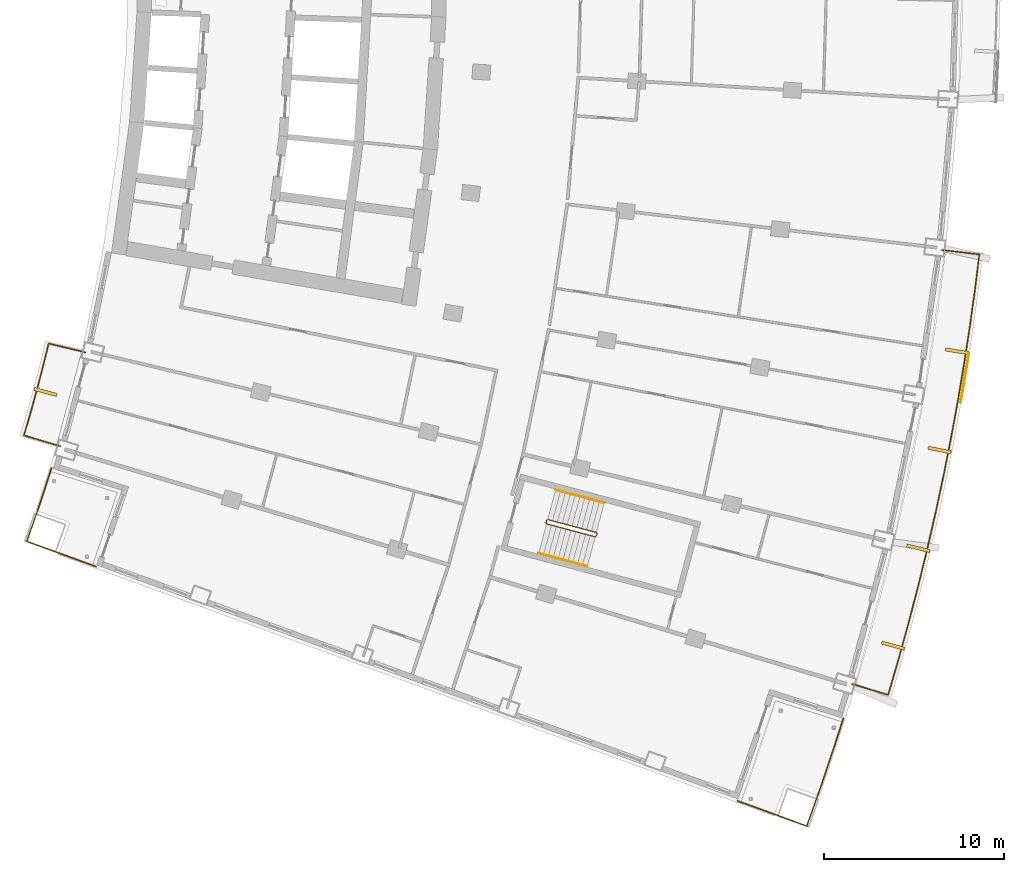
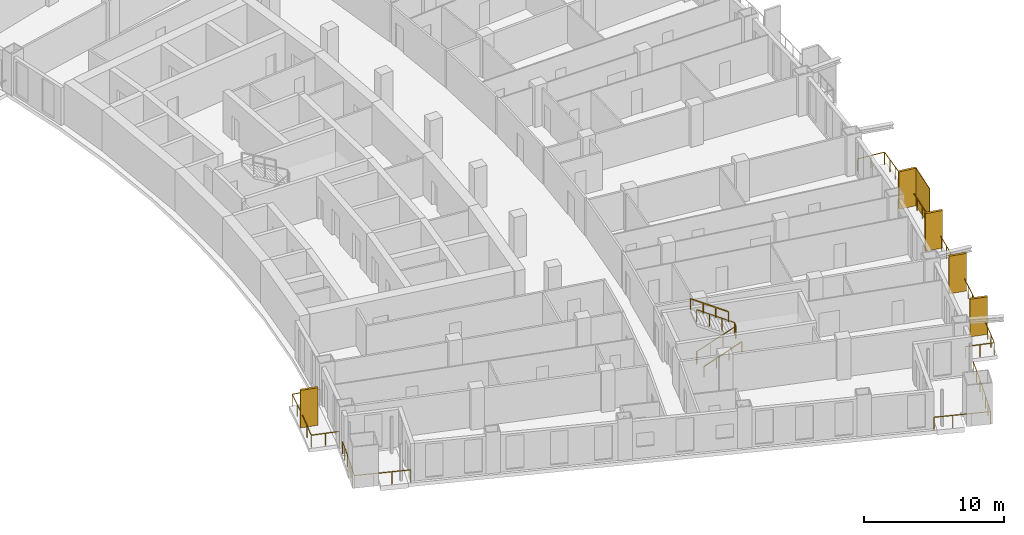
# One storey, part 23 of 25: 7 railings, 6 shading devices.
"""IFC4 building model written with IfcOpenShell, lengths in metres."""

from ifc_helpers import new_model, si_unit, direction, frame, origin, origin_2d, place, context, subcontext, project, spatial, rectangle, extrude, material, layer, layer_set, type_object, element, save


model = new_model("IFC4")

# Units and contexts
model_context = context("Model", 3, precision=1e-05, world=origin(), true_north=direction((0.0, 1.0)))
body_context = subcontext(model_context, "Body", "Model", "MODEL_VIEW")
ifc_project = project(units=[si_unit("LENGTHUNIT", "METRE"), si_unit("AREAUNIT", "SQUARE_METRE"), si_unit("VOLUMEUNIT", "CUBIC_METRE"), si_unit("PLANEANGLEUNIT", "RADIAN"), si_unit("MASSUNIT", "GRAM", prefix="KILO")], contexts=[model_context])

# Site, building, storey
site_placement = place(None, origin())
site = spatial("IfcSite", under=ifc_project, at=site_placement, CompositionType="ELEMENT")
building_placement = place(site_placement, origin())
building = spatial("IfcBuilding", under=site, at=building_placement, Name="Alderwake Tower", CompositionType="ELEMENT")
storey_placement = place(building_placement, frame((0.0, 0.0, 86.0)))
storey = spatial("IfcBuildingStorey", under=building, at=storey_placement, Name="L20", CompositionType="ELEMENT", Elevation=86.0)

# Railings
ifc_material_1 = material(Name="Stainless steel 316 rail and posts", Category="steel")
railing_type_1 = type_object("IfcRailingType", Name="Balcony guard 1100", PredefinedType="GUARDRAIL", material=ifc_material_1)
railing_1_placement = place(storey_placement, frame((56.22265625, 20.204833984375, 0.0)))
element("IfcRailing", 1, at=railing_1_placement, inside=storey, type_object=railing_type_1, Name="Guard BF02", PredefinedType="GUARDRAIL", context=body_context, shape_type="SweptSolid", body=[
    extrude(rectangle(XDim=0.048095703125, YDim=0.048095703125, at=origin_2d()), frame((0.0, 0.0, 1.076171875), z_axis=(0.957986128201, -0.286814536198, 0.0), x_axis=(0.286814536198, 0.957986128201, 0.0)), (0.0, 0.0, 1.0), 2.099853515625),
    extrude(rectangle(XDim=0.048095703125, YDim=0.048095703125, at=origin_2d()), frame((2.01171875, -0.602294921875, 1.076171875), z_axis=(0.280154349247, 0.959954968005, 0.0), x_axis=(-0.959954968005, 0.280154349247, 0.0)), (0.0, 0.0, 1.0), 2.00439453125),
    extrude(rectangle(XDim=0.048095703125, YDim=0.048095703125, at=origin_2d()), frame((2.5732421875, 1.32177734375, 1.076171875), z_axis=(0.266620451379, 0.963801605574, 0.0), x_axis=(-0.963801605574, 0.266620451379, 0.0)), (0.0, 0.0, 1.0), 2.104248046875),
    extrude(rectangle(XDim=0.048095703125, YDim=0.048095703125, at=origin_2d()), frame((3.13427734375, 3.349853515625, 1.076171875), z_axis=(0.252431341957, 0.967614808484, 0.0), x_axis=(-0.967614808484, 0.252431341957, 0.0)), (0.0, 0.0, 1.0), 2.1044921875),
    extrude(rectangle(XDim=0.048095703125, YDim=0.048095703125, at=origin_2d()), frame((3.66552734375, 5.38623046875, 1.076171875), z_axis=(0.238302054277, 0.971191088781, 0.0), x_axis=(-0.971191088781, 0.238302054277, 0.0)), (0.0, 0.0, 1.0), 2.104248046875),
    extrude(rectangle(XDim=0.048095703125, YDim=0.048095703125, at=origin_2d()), frame((4.1669921875, 7.429931640625, 1.076171875), z_axis=(0.224147692921, 0.974555186615, 0.0), x_axis=(-0.974555186615, 0.224147692921, 0.0)), (0.0, 0.0, 1.0), 2.104248046875),
    extrude(rectangle(XDim=0.048095703125, YDim=0.048095703125, at=origin_2d()), frame((4.638671875, 9.480712890625, 1.076171875), z_axis=(0.209885633333, 0.977725943668, 0.0), x_axis=(-0.977725943668, 0.209885633333, 0.0)), (0.0, 0.0, 1.0), 2.104248046875),
    extrude(rectangle(XDim=0.048095703125, YDim=0.048095703125, at=origin_2d()), frame((5.080322265625, 11.5380859375, 1.076171875), z_axis=(0.195602960633, 0.980683170954, 0.0), x_axis=(-0.980683170954, 0.195602960633, 0.0)), (0.0, 0.0, 1.0), 2.1044921875),
    extrude(rectangle(XDim=0.048095703125, YDim=0.048095703125, at=origin_2d()), frame((5.491943359375, 13.601806640625, 1.076171875), z_axis=(0.181212626515, 0.983443940442, 0.0), x_axis=(-0.983443940442, 0.181212626515, 0.0)), (0.0, 0.0, 1.0), 2.1044921875),
    extrude(rectangle(XDim=0.048095703125, YDim=0.048095703125, at=origin_2d()), frame((5.873291015625, 15.67138671875, 1.076171875), z_axis=(0.166957213464, 0.985964141778, 0.0), x_axis=(-0.985964141778, 0.166957213464, 0.0)), (0.0, 0.0, 1.0), 2.104248046875),
    extrude(rectangle(XDim=0.048095703125, YDim=0.048095703125, at=origin_2d()), frame((6.224609375, 17.74609375, 1.076171875), z_axis=(0.152554066346, 0.988295126388, 0.0), x_axis=(-0.988295126388, 0.152554066346, 0.0)), (0.0, 0.0, 1.0), 2.1044921875),
    extrude(rectangle(XDim=0.048095703125, YDim=0.048095703125, at=origin_2d()), frame((6.545654296875, 19.825927734375, 1.076171875), z_axis=(0.138058412224, 0.990424088365, 0.0), x_axis=(-0.990424088365, 0.138058412224, 0.0)), (0.0, 0.0, 1.0), 2.1044921875),
    extrude(rectangle(XDim=0.048095703125, YDim=0.048095703125, at=origin_2d()), frame((6.836181640625, 21.91015625, 1.076171875), z_axis=(0.124004750008, 0.992281624326, 0.0), x_axis=(-0.992281624326, 0.124004750008, 0.0)), (0.0, 0.0, 1.0), 2.004150390625),
    extrude(rectangle(XDim=0.048095703125, YDim=0.048095703125, at=origin_2d()), frame((7.084716796875, 23.89892578125, 1.076171875), z_axis=(-0.993124393357, 0.117063825835, 0.0), x_axis=(-0.117063825835, -0.993124393357, 0.0)), (0.0, 0.0, 1.0), 2.10009765625),
    extrude(rectangle(XDim=0.0419921875, YDim=0.0419921875, at=origin_2d()), frame((0.0, 0.0, 0.0), z_axis=(0.0, 0.0, 1.0), x_axis=(0.957986128201, -0.286814536198, 0.0)), (0.0, 0.0, 1.0), 1.052001953125),
    extrude(rectangle(XDim=0.0419921875, YDim=0.0419921875, at=origin_2d()), frame((1.005859375, -0.30126953125, 0.0), z_axis=(0.0, 0.0, 1.0), x_axis=(0.957986128201, -0.286814536198, 0.0)), (0.0, 0.0, 1.0), 1.052001953125),
    extrude(rectangle(XDim=0.0419921875, YDim=0.0419921875, at=origin_2d()), frame((2.01171875, -0.602294921875, 0.0), z_axis=(0.0, 0.0, 1.0), x_axis=(0.280154349247, 0.959954968005, 0.0)), (0.0, 0.0, 1.0), 1.052001953125),
    extrude(rectangle(XDim=0.0419921875, YDim=0.0419921875, at=origin_2d()), frame((2.29248046875, 0.35986328125, 0.0), z_axis=(0.0, 0.0, 1.0), x_axis=(0.280154349247, 0.959954968005, 0.0)), (0.0, 0.0, 1.0), 1.052001953125),
    extrude(rectangle(XDim=0.0419921875, YDim=0.0419921875, at=origin_2d()), frame((2.5732421875, 1.32177734375, 0.0), z_axis=(0.0, 0.0, 1.0), x_axis=(0.266620451379, 0.963801605574, 0.0)), (0.0, 0.0, 1.0), 1.052001953125),
    extrude(rectangle(XDim=0.0419921875, YDim=0.0419921875, at=origin_2d()), frame((2.853759765625, 2.3359375, 0.0), z_axis=(0.0, 0.0, 1.0), x_axis=(0.266620451379, 0.963801605574, 0.0)), (0.0, 0.0, 1.0), 1.052001953125),
    extrude(rectangle(XDim=0.0419921875, YDim=0.0419921875, at=origin_2d()), frame((3.13427734375, 3.349853515625, 0.0), z_axis=(0.0, 0.0, 1.0), x_axis=(0.252431341957, 0.967614808484, 0.0)), (0.0, 0.0, 1.0), 1.052001953125),
    extrude(rectangle(XDim=0.0419921875, YDim=0.0419921875, at=origin_2d()), frame((3.39990234375, 4.3681640625, 0.0), z_axis=(0.0, 0.0, 1.0), x_axis=(0.252431341957, 0.967614808484, 0.0)), (0.0, 0.0, 1.0), 1.052001953125),
    extrude(rectangle(XDim=0.0419921875, YDim=0.0419921875, at=origin_2d()), frame((3.66552734375, 5.38623046875, 0.0), z_axis=(0.0, 0.0, 1.0), x_axis=(0.238302054277, 0.971191088781, 0.0)), (0.0, 0.0, 1.0), 1.052001953125),
    extrude(rectangle(XDim=0.0419921875, YDim=0.0419921875, at=origin_2d()), frame((3.916259765625, 6.408203125, 0.0), z_axis=(0.0, 0.0, 1.0), x_axis=(0.238302054277, 0.971191088781, 0.0)), (0.0, 0.0, 1.0), 1.052001953125),
    extrude(rectangle(XDim=0.0419921875, YDim=0.0419921875, at=origin_2d()), frame((4.1669921875, 7.429931640625, 0.0), z_axis=(0.0, 0.0, 1.0), x_axis=(0.224147692921, 0.974555186615, 0.0)), (0.0, 0.0, 1.0), 1.052001953125),
    extrude(rectangle(XDim=0.0419921875, YDim=0.0419921875, at=origin_2d()), frame((4.40283203125, 8.455322265625, 0.0), z_axis=(0.0, 0.0, 1.0), x_axis=(0.224147692921, 0.974555186615, 0.0)), (0.0, 0.0, 1.0), 1.052001953125),
    extrude(rectangle(XDim=0.0419921875, YDim=0.0419921875, at=origin_2d()), frame((4.638671875, 9.480712890625, 0.0), z_axis=(0.0, 0.0, 1.0), x_axis=(0.209885633333, 0.977725943668, 0.0)), (0.0, 0.0, 1.0), 1.052001953125),
    extrude(rectangle(XDim=0.0419921875, YDim=0.0419921875, at=origin_2d()), frame((4.859375, 10.50927734375, 0.0), z_axis=(0.0, 0.0, 1.0), x_axis=(0.209885633333, 0.977725943668, 0.0)), (0.0, 0.0, 1.0), 1.052001953125),
    extrude(rectangle(XDim=0.0419921875, YDim=0.0419921875, at=origin_2d()), frame((5.080322265625, 11.5380859375, 0.0), z_axis=(0.0, 0.0, 1.0), x_axis=(0.195602960633, 0.980683170954, 0.0)), (0.0, 0.0, 1.0), 1.052001953125),
    extrude(rectangle(XDim=0.0419921875, YDim=0.0419921875, at=origin_2d()), frame((5.2861328125, 12.56982421875, 0.0), z_axis=(0.0, 0.0, 1.0), x_axis=(0.195602960633, 0.980683170954, 0.0)), (0.0, 0.0, 1.0), 1.052001953125),
    extrude(rectangle(XDim=0.0419921875, YDim=0.0419921875, at=origin_2d()), frame((5.491943359375, 13.601806640625, 0.0), z_axis=(0.0, 0.0, 1.0), x_axis=(0.181212626515, 0.983443940442, 0.0)), (0.0, 0.0, 1.0), 1.052001953125),
    extrude(rectangle(XDim=0.0419921875, YDim=0.0419921875, at=origin_2d()), frame((5.6826171875, 14.63671875, 0.0), z_axis=(0.0, 0.0, 1.0), x_axis=(0.181212626515, 0.983443940442, 0.0)), (0.0, 0.0, 1.0), 1.052001953125),
    extrude(rectangle(XDim=0.0419921875, YDim=0.0419921875, at=origin_2d()), frame((5.873291015625, 15.67138671875, 0.0), z_axis=(0.0, 0.0, 1.0), x_axis=(0.166957213464, 0.985964141778, 0.0)), (0.0, 0.0, 1.0), 1.052001953125),
    extrude(rectangle(XDim=0.0419921875, YDim=0.0419921875, at=origin_2d()), frame((6.048828125, 16.708740234375, 0.0), z_axis=(0.0, 0.0, 1.0), x_axis=(0.166957213464, 0.985964141778, 0.0)), (0.0, 0.0, 1.0), 1.052001953125),
    extrude(rectangle(XDim=0.0419921875, YDim=0.0419921875, at=origin_2d()), frame((6.224609375, 17.74609375, 0.0), z_axis=(0.0, 0.0, 1.0), x_axis=(0.152554066346, 0.988295126388, 0.0)), (0.0, 0.0, 1.0), 1.052001953125),
    extrude(rectangle(XDim=0.0419921875, YDim=0.0419921875, at=origin_2d()), frame((6.38525390625, 18.7861328125, 0.0), z_axis=(0.0, 0.0, 1.0), x_axis=(0.152554066346, 0.988295126388, 0.0)), (0.0, 0.0, 1.0), 1.052001953125),
    extrude(rectangle(XDim=0.0419921875, YDim=0.0419921875, at=origin_2d()), frame((6.545654296875, 19.825927734375, 0.0), z_axis=(0.0, 0.0, 1.0), x_axis=(0.138058412224, 0.990424088365, 0.0)), (0.0, 0.0, 1.0), 1.052001953125),
    extrude(rectangle(XDim=0.0419921875, YDim=0.0419921875, at=origin_2d()), frame((6.69091796875, 20.8681640625, 0.0), z_axis=(0.0, 0.0, 1.0), x_axis=(0.138058412224, 0.990424088365, 0.0)), (0.0, 0.0, 1.0), 1.052001953125),
    extrude(rectangle(XDim=0.0419921875, YDim=0.0419921875, at=origin_2d()), frame((6.836181640625, 21.91015625, 0.0), z_axis=(0.0, 0.0, 1.0), x_axis=(0.124004750008, 0.992281624326, 0.0)), (0.0, 0.0, 1.0), 1.052001953125),
    extrude(rectangle(XDim=0.0419921875, YDim=0.0419921875, at=origin_2d()), frame((6.96044921875, 22.904541015625, 0.0), z_axis=(0.0, 0.0, 1.0), x_axis=(0.124004750008, 0.992281624326, 0.0)), (0.0, 0.0, 1.0), 1.052001953125),
    extrude(rectangle(XDim=0.0419921875, YDim=0.0419921875, at=origin_2d()), frame((7.084716796875, 23.89892578125, 0.0), z_axis=(0.0, 0.0, 1.0), x_axis=(-0.993124393357, 0.117063825835, 0.0)), (0.0, 0.0, 1.0), 1.052001953125),
    extrude(rectangle(XDim=0.0419921875, YDim=0.0419921875, at=origin_2d()), frame((6.0419921875, 24.02197265625, 0.0), z_axis=(0.0, 0.0, 1.0), x_axis=(-0.993124393357, 0.117063825835, 0.0)), (0.0, 0.0, 1.0), 1.052001953125),
    extrude(rectangle(XDim=0.0419921875, YDim=0.0419921875, at=origin_2d()), frame((4.9990234375, 24.144775390625, 0.0), z_axis=(0.0, 0.0, 1.0), x_axis=(-0.993124393357, 0.117063825835, 0.0)), (0.0, 0.0, 1.0), 1.052001953125),
])
railing_2_placement = place(storey_placement, frame((12.16650390625, 33.435791015625, 0.0)))
element("IfcRailing", 2, at=railing_2_placement, inside=storey, type_object=railing_type_1, Name="Guard BR02", PredefinedType="GUARDRAIL", context=body_context, shape_type="SweptSolid", body=[
    extrude(rectangle(XDim=0.048095703125, YDim=0.048095703125, at=origin_2d()), frame((0.0, 0.0, 1.076171875), z_axis=(-0.958091458885, 0.286462486918, 0.0), x_axis=(-0.286462486918, -0.958091458885, 0.0)), (0.0, 0.0, 1.0), 2.099853515625),
    extrude(rectangle(XDim=0.048095703125, YDim=0.048095703125, at=origin_2d()), frame((-2.011962890625, 0.6015625, 1.076171875), z_axis=(0.279963157487, 0.960010744966, 0.0), x_axis=(-0.960010744966, 0.279963157487, 0.0)), (0.0, 0.0, 1.0), 1.272216796875),
    extrude(rectangle(XDim=0.048095703125, YDim=0.048095703125, at=origin_2d()), frame((-1.65576171875, 1.822998046875, 1.076171875), z_axis=(0.266487604617, 0.963838345671, 0.0), x_axis=(-0.963838345671, 0.266487604617, 0.0)), (0.0, 0.0, 1.0), 1.372314453125),
    extrude(rectangle(XDim=0.048095703125, YDim=0.048095703125, at=origin_2d()), frame((-1.2900390625, 3.145751953125, 1.076171875), z_axis=(0.252487086228, 0.967600264204, 0.0), x_axis=(-0.967600264204, 0.252487086228, 0.0)), (0.0, 0.0, 1.0), 1.3720703125),
    extrude(rectangle(XDim=0.048095703125, YDim=0.048095703125, at=origin_2d()), frame((-0.943603515625, 4.473388671875, 1.076171875), z_axis=(0.238877101641, 0.971049808358, 0.0), x_axis=(-0.971049808358, 0.238877101641, 0.0)), (0.0, 0.0, 1.0), 1.2724609375),
    extrude(rectangle(XDim=0.048095703125, YDim=0.048095703125, at=origin_2d()), frame((-0.6396484375, 5.708984375, 1.076171875), z_axis=(0.972646310656, -0.232291098337, 0.0), x_axis=(0.232291098337, 0.972646310656, 0.0)), (0.0, 0.0, 1.0), 2.099853515625),
    extrude(rectangle(XDim=0.0419921875, YDim=0.0419921875, at=origin_2d()), frame((0.0, 0.0, 0.0), z_axis=(0.0, 0.0, 1.0), x_axis=(-0.958091458885, 0.286462486918, 0.0)), (0.0, 0.0, 1.0), 1.052001953125),
    extrude(rectangle(XDim=0.0419921875, YDim=0.0419921875, at=origin_2d()), frame((-1.005859375, 0.30078125, 0.0), z_axis=(0.0, 0.0, 1.0), x_axis=(-0.958091458885, 0.286462486918, 0.0)), (0.0, 0.0, 1.0), 1.052001953125),
    extrude(rectangle(XDim=0.0419921875, YDim=0.0419921875, at=origin_2d()), frame((-2.011962890625, 0.6015625, 0.0), z_axis=(0.0, 0.0, 1.0), x_axis=(0.279963157487, 0.960010744966, 0.0)), (0.0, 0.0, 1.0), 1.052001953125),
    extrude(rectangle(XDim=0.0419921875, YDim=0.0419921875, at=origin_2d()), frame((-1.65576171875, 1.822998046875, 0.0), z_axis=(0.0, 0.0, 1.0), x_axis=(0.266487604617, 0.963838345671, 0.0)), (0.0, 0.0, 1.0), 1.052001953125),
    extrude(rectangle(XDim=0.0419921875, YDim=0.0419921875, at=origin_2d()), frame((-1.2900390625, 3.145751953125, 0.0), z_axis=(0.0, 0.0, 1.0), x_axis=(0.252487086228, 0.967600264204, 0.0)), (0.0, 0.0, 1.0), 1.052001953125),
    extrude(rectangle(XDim=0.0419921875, YDim=0.0419921875, at=origin_2d()), frame((-0.943603515625, 4.473388671875, 0.0), z_axis=(0.0, 0.0, 1.0), x_axis=(0.238877101641, 0.971049808358, 0.0)), (0.0, 0.0, 1.0), 1.052001953125),
    extrude(rectangle(XDim=0.0419921875, YDim=0.0419921875, at=origin_2d()), frame((-0.6396484375, 5.708984375, 0.0), z_axis=(0.0, 0.0, 1.0), x_axis=(0.972646310656, -0.232291098337, 0.0)), (0.0, 0.0, 1.0), 1.052001953125),
    extrude(rectangle(XDim=0.0419921875, YDim=0.0419921875, at=origin_2d()), frame((0.381591796875, 5.465087890625, 0.0), z_axis=(0.0, 0.0, 1.0), x_axis=(0.972646310656, -0.232291098337, 0.0)), (0.0, 0.0, 1.0), 1.052001953125),
    extrude(rectangle(XDim=0.0419921875, YDim=0.0419921875, at=origin_2d()), frame((1.40283203125, 5.22119140625, 0.0), z_axis=(0.0, 0.0, 1.0), x_axis=(0.972646310656, -0.232291098337, 0.0)), (0.0, 0.0, 1.0), 1.052001953125),
])
railing_3_placement = place(storey_placement, frame((55.739013671875, 18.289306640625, 0.0)))
element("IfcRailing", 3, at=railing_3_placement, inside=storey, type_object=railing_type_1, Name="Guard terrace FS", PredefinedType="GUARDRAIL", context=body_context, shape_type="SweptSolid", body=[
    extrude(rectangle(XDim=0.048095703125, YDim=0.048095703125, at=origin_2d()), frame((0.0, 0.0, 1.076171875), z_axis=(-0.307748860356, -0.9514676237, 0.0), x_axis=(0.9514676237, -0.307748860356, 0.0)), (0.0, 0.0, 1.0), 2.275146484375),
    extrude(rectangle(XDim=0.048095703125, YDim=0.048095703125, at=origin_2d()), frame((-0.7001953125, -2.164794921875, 1.076171875), z_axis=(-0.322257067834, -0.946652197077, 0.0), x_axis=(0.946652197077, -0.322257067834, 0.0)), (0.0, 0.0, 1.0), 2.074951171875),
    extrude(rectangle(XDim=0.048095703125, YDim=0.048095703125, at=origin_2d()), frame((-1.368896484375, -4.129150390625, 1.076171875), z_axis=(-0.335702093232, -0.94196820785, 0.0), x_axis=(0.94196820785, -0.335702093232, 0.0)), (0.0, 0.0, 1.0), 1.975341796875),
    extrude(rectangle(XDim=0.048095703125, YDim=0.048095703125, at=origin_2d()), frame((-2.031982421875, -5.98974609375, 1.076171875), z_axis=(-0.939605522223, 0.34225934992, 0.0), x_axis=(-0.34225934992, -0.939605522223, 0.0)), (0.0, 0.0, 1.0), 4.10009765625),
    extrude(rectangle(XDim=0.0419921875, YDim=0.0419921875, at=origin_2d()), frame((0.0, 0.0, 0.0), z_axis=(0.0, 0.0, 1.0), x_axis=(-0.307748860356, -0.9514676237, 0.0)), (0.0, 0.0, 1.0), 1.052001953125),
    extrude(rectangle(XDim=0.0419921875, YDim=0.0419921875, at=origin_2d()), frame((-0.35009765625, -1.08251953125, 0.0), z_axis=(0.0, 0.0, 1.0), x_axis=(-0.307748860356, -0.9514676237, 0.0)), (0.0, 0.0, 1.0), 1.052001953125),
    extrude(rectangle(XDim=0.0419921875, YDim=0.0419921875, at=origin_2d()), frame((-0.7001953125, -2.164794921875, 0.0), z_axis=(0.0, 0.0, 1.0), x_axis=(-0.322257067834, -0.946652197077, 0.0)), (0.0, 0.0, 1.0), 1.052001953125),
    extrude(rectangle(XDim=0.0419921875, YDim=0.0419921875, at=origin_2d()), frame((-1.03466796875, -3.14697265625, 0.0), z_axis=(0.0, 0.0, 1.0), x_axis=(-0.322257067834, -0.946652197077, 0.0)), (0.0, 0.0, 1.0), 1.052001953125),
    extrude(rectangle(XDim=0.0419921875, YDim=0.0419921875, at=origin_2d()), frame((-1.368896484375, -4.129150390625, 0.0), z_axis=(0.0, 0.0, 1.0), x_axis=(-0.335702093232, -0.94196820785, 0.0)), (0.0, 0.0, 1.0), 1.052001953125),
    extrude(rectangle(XDim=0.0419921875, YDim=0.0419921875, at=origin_2d()), frame((-1.700439453125, -5.0595703125, 0.0), z_axis=(0.0, 0.0, 1.0), x_axis=(-0.335702093232, -0.94196820785, 0.0)), (0.0, 0.0, 1.0), 1.052001953125),
    extrude(rectangle(XDim=0.0419921875, YDim=0.0419921875, at=origin_2d()), frame((-2.031982421875, -5.98974609375, 0.0), z_axis=(0.0, 0.0, 1.0), x_axis=(-0.939605522223, 0.34225934992, 0.0)), (0.0, 0.0, 1.0), 1.052001953125),
    extrude(rectangle(XDim=0.0419921875, YDim=0.0419921875, at=origin_2d()), frame((-3.316162109375, -5.52197265625, 0.0), z_axis=(0.0, 0.0, 1.0), x_axis=(-0.939605522223, 0.34225934992, 0.0)), (0.0, 0.0, 1.0), 1.052001953125),
    extrude(rectangle(XDim=0.0419921875, YDim=0.0419921875, at=origin_2d()), frame((-4.600341796875, -5.05419921875, 0.0), z_axis=(0.0, 0.0, 1.0), x_axis=(-0.939605522223, 0.34225934992, 0.0)), (0.0, 0.0, 1.0), 1.052001953125),
    extrude(rectangle(XDim=0.0419921875, YDim=0.0419921875, at=origin_2d()), frame((-5.884521484375, -4.58642578125, 0.0), z_axis=(0.0, 0.0, 1.0), x_axis=(-0.939605522223, 0.34225934992, 0.0)), (0.0, 0.0, 1.0), 1.052001953125),
])
railing_4_placement = place(storey_placement, frame((11.688720703125, 32.218017578125, 0.0)))
element("IfcRailing", 4, at=railing_4_placement, inside=storey, type_object=railing_type_1, Name="Guard terrace RS", PredefinedType="GUARDRAIL", context=body_context, shape_type="SweptSolid", body=[
    extrude(rectangle(XDim=0.048095703125, YDim=0.048095703125, at=origin_2d()), frame((0.0, 0.0, 1.076171875), z_axis=(-0.307479326145, -0.951554761426, 0.0), x_axis=(0.951554761426, -0.307479326145, 0.0)), (0.0, 0.0, 1.0), 1.6015625),
    extrude(rectangle(XDim=0.048095703125, YDim=0.048095703125, at=origin_2d()), frame((-0.492431640625, -1.52392578125, 1.076171875), z_axis=(-0.322283727344, -0.946643121292, 0.0), x_axis=(0.946643121292, -0.322283727344, 0.0)), (0.0, 0.0, 1.0), 1.4013671875),
    extrude(rectangle(XDim=0.048095703125, YDim=0.048095703125, at=origin_2d()), frame((-0.944091796875, -2.8505859375, 1.076171875), z_axis=(-0.335468607403, -0.942051385778, 0.0), x_axis=(0.942051385778, -0.335468607403, 0.0)), (0.0, 0.0, 1.0), 1.30126953125),
    extrude(rectangle(XDim=0.048095703125, YDim=0.048095703125, at=origin_2d()), frame((-1.380615234375, -4.076416015625, 1.076171875), z_axis=(0.939708203232, -0.341977327873, 0.0), x_axis=(0.341977327873, 0.939708203232, 0.0)), (0.0, 0.0, 1.0), 4.10009765625),
    extrude(rectangle(XDim=0.0419921875, YDim=0.0419921875, at=origin_2d()), frame((0.0, 0.0, 0.0), z_axis=(0.0, 0.0, 1.0), x_axis=(-0.307479326145, -0.951554761426, 0.0)), (0.0, 0.0, 1.0), 1.052001953125),
    extrude(rectangle(XDim=0.0419921875, YDim=0.0419921875, at=origin_2d()), frame((-0.24609375, -0.761962890625, 0.0), z_axis=(0.0, 0.0, 1.0), x_axis=(-0.307479326145, -0.951554761426, 0.0)), (0.0, 0.0, 1.0), 1.052001953125),
    extrude(rectangle(XDim=0.0419921875, YDim=0.0419921875, at=origin_2d()), frame((-0.492431640625, -1.52392578125, 0.0), z_axis=(0.0, 0.0, 1.0), x_axis=(-0.322283727344, -0.946643121292, 0.0)), (0.0, 0.0, 1.0), 1.052001953125),
    extrude(rectangle(XDim=0.0419921875, YDim=0.0419921875, at=origin_2d()), frame((-0.71826171875, -2.187255859375, 0.0), z_axis=(0.0, 0.0, 1.0), x_axis=(-0.322283727344, -0.946643121292, 0.0)), (0.0, 0.0, 1.0), 1.052001953125),
    extrude(rectangle(XDim=0.0419921875, YDim=0.0419921875, at=origin_2d()), frame((-0.944091796875, -2.8505859375, 0.0), z_axis=(0.0, 0.0, 1.0), x_axis=(-0.335468607403, -0.942051385778, 0.0)), (0.0, 0.0, 1.0), 1.052001953125),
    extrude(rectangle(XDim=0.0419921875, YDim=0.0419921875, at=origin_2d()), frame((-1.380615234375, -4.076416015625, 0.0), z_axis=(0.0, 0.0, 1.0), x_axis=(0.939708203232, -0.341977327873, 0.0)), (0.0, 0.0, 1.0), 1.052001953125),
    extrude(rectangle(XDim=0.0419921875, YDim=0.0419921875, at=origin_2d()), frame((-0.096435546875, -4.543701171875, 0.0), z_axis=(0.0, 0.0, 1.0), x_axis=(0.939708203232, -0.341977327873, 0.0)), (0.0, 0.0, 1.0), 1.052001953125),
    extrude(rectangle(XDim=0.0419921875, YDim=0.0419921875, at=origin_2d()), frame((1.18798828125, -5.01123046875, 0.0), z_axis=(0.0, 0.0, 1.0), x_axis=(0.939708203232, -0.341977327873, 0.0)), (0.0, 0.0, 1.0), 1.052001953125),
    extrude(rectangle(XDim=0.0419921875, YDim=0.0419921875, at=origin_2d()), frame((2.47216796875, -5.478515625, 0.0), z_axis=(0.0, 0.0, 1.0), x_axis=(0.939708203232, -0.341977327873, 0.0)), (0.0, 0.0, 1.0), 1.052001953125),
])

# Shading devices
ifc_material_2 = material(Name="Bronze anodised aluminium", Category="aluminium")
ifc_layer_1 = layer(ifc_material_2, 0.179931640625)
ifc_layer_set_1 = layer_set([ifc_layer_1], Name="Facade fin 1300")
shading_device_type_1 = type_object("IfcShadingDeviceType", Name="Facade fin 1300", PredefinedType="USERDEFINED", material=ifc_layer_set_1)
for number, where, z_axis, x_axis, name in (
    (5, (58.505615234375, 22.339111328125, 0.0), (0.0, 0.0, 1.0), (0.96318180783, -0.268850897459, 0.0), "Fin"),
    (6, (59.904296875, 27.7548828125, 0.0), (0.0, 0.0, 1.0), (0.972908790564, -0.231189284448, 0.0), "Fin"),
    (7, (61.09130859375, 33.220947265625, 0.0), (0.0, 0.0, 1.0), (0.981163751315, -0.193177879441, 0.0), "Fin"),
    (8, (62.062744140625, 38.71484375, 0.0), (0.0, 0.0, 1.0), (0.987918787879, -0.154972476771, 0.0), "Fin"),
    (9, (11.359375, 36.45166015625, 0.0), (0.0, 0.0, 1.0), (0.965744448231, -0.259495010957, 0.0), "Fin"),
):
    element("IfcShadingDevice", number, at=place(storey_placement, frame(where, z_axis=z_axis, x_axis=x_axis)), inside=storey, type_object=shading_device_type_1, Name=name, ObjectType="FIN", PredefinedType="USERDEFINED", context=body_context, shape_type="SweptSolid", body=[
        extrude(rectangle(XDim=1.300048828125, YDim=0.179931640625, at=origin_2d()), origin(), (0.0, 0.0, 1.0), 3.280029296875),
    ])
ifc_material_3 = material(Name="Perforated bronze anodised aluminium", Category="aluminium")
ifc_layer_2 = layer(ifc_material_3, 0.050048828125)
ifc_layer_set_2 = layer_set([ifc_layer_2], Name="Perforated screen panel")
shading_device_type_2 = type_object("IfcShadingDeviceType", Name="Perforated screen panel", PredefinedType="USERDEFINED", material=ifc_layer_set_2)
shading_device_placement = place(storey_placement, frame((62.4990234375, 37.22802734375, 0.0), z_axis=(0.0, 0.0, 1.0), x_axis=(0.986369013299, -0.164548380739, 0.0)))
element("IfcShadingDevice", 10, at=shading_device_placement, inside=storey, type_object=shading_device_type_2, Name="Screen panel", ObjectType="SCREEN", PredefinedType="USERDEFINED", context=body_context, shape_type="SweptSolid", body=[
    extrude(rectangle(XDim=0.050048828125, YDim=2.802734375, at=origin_2d()), origin(), (0.0, 0.0, 1.0), 3.280029296875),
])

# Railings
ifc_material_4 = material(Name="Stainless steel guard", Category="steel")
railing_type_2 = type_object("IfcRailingType", Name="Stair guard 1100", PredefinedType="GUARDRAIL", material=ifc_material_4)
railing_5_placement = place(storey_placement, frame((39.1943359375, 29.17431640625, 0.0)))
element("IfcRailing", 11, at=railing_5_placement, inside=storey, type_object=railing_type_2, Name="L20 ST-C stair guard 1", PredefinedType="GUARDRAIL", context=body_context, shape_type="SweptSolid", body=[
    extrude(rectangle(XDim=0.048095703125, YDim=0.048095703125, at=origin_2d()), frame((0.0, 0.0, 1.076171875), z_axis=(0.257459803502, 0.966289009345, 0.0), x_axis=(-0.966289009345, 0.257459803502, 0.0)), (0.0, 0.0, 1.0), 0.14990234375),
    extrude(rectangle(XDim=0.048095703125, YDim=0.048095703125, at=origin_2d()), frame((0.03857421875, 0.144775390625, 1.076171875), z_axis=(-0.012062893862, -0.783160186125, 0.621702991355), x_axis=(0.999881397308, -0.015401016783, 0.0)), (0.0, 0.0, 1.0), 0.26318359375),
    extrude(rectangle(XDim=0.048095703125, YDim=0.048095703125, at=origin_2d()), frame((0.035400390625, -0.061279296875, 1.23974609375), z_axis=(0.834281824786, -0.222214197128, 0.504573768072), x_axis=(0.257380452725, 0.966310148221, 0.0)), (0.0, 0.0, 1.0), 3.2431640625),
    extrude(rectangle(XDim=0.048095703125, YDim=0.048095703125, at=origin_2d()), frame((2.7412109375, -0.781982421875, 2.8759765625), z_axis=(0.865031189262, 0.501718089772, 0.0), x_axis=(-0.501718089772, 0.865031189262, 0.0)), (0.0, 0.0, 1.0), 0.070556640625),
    extrude(rectangle(XDim=0.048095703125, YDim=0.048095703125, at=origin_2d()), frame((2.80224609375, -0.74658203125, 2.8759765625), z_axis=(0.257055032184, 0.966396766566, 0.0), x_axis=(-0.966396766566, 0.257055032184, 0.0)), (0.0, 0.0, 1.0), 0.150146484375),
    extrude(rectangle(XDim=0.048095703125, YDim=0.048095703125, at=origin_2d()), frame((2.8408203125, -0.6015625, 2.8759765625), z_axis=(-0.198625291617, 0.343827228937, 0.91778583023), x_axis=(-0.865898279276, -0.500220121494, 0.0)), (0.0, 0.0, 1.0), 0.17822265625),
    extrude(rectangle(XDim=0.048095703125, YDim=0.048095703125, at=origin_2d()), frame((2.805419921875, -0.540283203125, 3.03955078125), z_axis=(-0.834258940753, 0.22222815314, 0.504605457487), x_axis=(-0.257402139082, -0.966304371715, 0.0)), (0.0, 0.0, 1.0), 3.2431640625),
    extrude(rectangle(XDim=0.0419921875, YDim=0.0419921875, at=origin_2d()), frame((0.0, 0.0, 0.0), z_axis=(0.0, 0.0, 1.0), x_axis=(0.257459803502, 0.966289009345, 0.0)), (0.0, 0.0, 1.0), 1.052001953125),
    extrude(rectangle(XDim=0.0419921875, YDim=0.0419921875, at=origin_2d()), frame((0.03857421875, 0.144775390625, 0.0), z_axis=(0.0, 0.0, 1.0), x_axis=(-0.015401016783, -0.999881397308, 0.0)), (0.0, 0.0, 1.0), 1.052001953125),
    extrude(rectangle(XDim=0.0419921875, YDim=0.0419921875, at=origin_2d()), frame((0.035400390625, -0.061279296875, 0.16357421875), z_axis=(0.0, 0.0, 1.0), x_axis=(0.966310148221, -0.257380452725, 0.0)), (0.0, 0.0, 1.0), 1.052001953125),
    extrude(rectangle(XDim=0.0419921875, YDim=0.0419921875, at=origin_2d()), frame((0.937255859375, -0.301513671875, 0.708984375), z_axis=(0.0, 0.0, 1.0), x_axis=(0.966310148221, -0.257380452725, 0.0)), (0.0, 0.0, 1.0), 1.052001953125),
    extrude(rectangle(XDim=0.0419921875, YDim=0.0419921875, at=origin_2d()), frame((1.83935546875, -0.541748046875, 1.254638671875), z_axis=(0.0, 0.0, 1.0), x_axis=(0.966310148221, -0.257380452725, 0.0)), (0.0, 0.0, 1.0), 1.052001953125),
    extrude(rectangle(XDim=0.0419921875, YDim=0.0419921875, at=origin_2d()), frame((2.7412109375, -0.781982421875, 1.800048828125), z_axis=(0.0, 0.0, 1.0), x_axis=(0.865031189262, 0.501718089772, 0.0)), (0.0, 0.0, 1.0), 1.052001953125),
    extrude(rectangle(XDim=0.0419921875, YDim=0.0419921875, at=origin_2d()), frame((2.80224609375, -0.74658203125, 1.800048828125), z_axis=(0.0, 0.0, 1.0), x_axis=(0.257055032184, 0.966396766566, 0.0)), (0.0, 0.0, 1.0), 1.052001953125),
    extrude(rectangle(XDim=0.0419921875, YDim=0.0419921875, at=origin_2d()), frame((2.8408203125, -0.6015625, 1.800048828125), z_axis=(0.0, 0.0, 1.0), x_axis=(-0.500220121494, 0.865898279276, 0.0)), (0.0, 0.0, 1.0), 1.052001953125),
    extrude(rectangle(XDim=0.0419921875, YDim=0.0419921875, at=origin_2d()), frame((2.805419921875, -0.540283203125, 1.963623046875), z_axis=(0.0, 0.0, 1.0), x_axis=(-0.966304371715, 0.257402139082, 0.0)), (0.0, 0.0, 1.0), 1.052001953125),
    extrude(rectangle(XDim=0.0419921875, YDim=0.0419921875, at=origin_2d()), frame((1.903564453125, -0.300048828125, 2.509033203125), z_axis=(0.0, 0.0, 1.0), x_axis=(-0.966304371715, 0.257402139082, 0.0)), (0.0, 0.0, 1.0), 1.052001953125),
    extrude(rectangle(XDim=0.0419921875, YDim=0.0419921875, at=origin_2d()), frame((1.001708984375, -0.059814453125, 3.0546875), z_axis=(0.0, 0.0, 1.0), x_axis=(-0.966304371715, 0.257402139082, 0.0)), (0.0, 0.0, 1.0), 1.052001953125),
    extrude(rectangle(XDim=0.0419921875, YDim=0.0419921875, at=origin_2d()), frame((0.099853515625, 0.180419921875, 3.60009765625), z_axis=(0.0, 0.0, 1.0), x_axis=(-0.966304371715, 0.257402139082, 0.0)), (0.0, 0.0, 1.0), 1.052001953125),
])
ifc_material_5 = material(Name="Stainless steel handrail", Category="steel")
railing_type_3 = type_object("IfcRailingType", Name="Stair handrail 900", PredefinedType="HANDRAIL", material=ifc_material_5)
railing_6_placement = place(storey_placement, frame((38.792236328125, 27.47021484375, 0.16357421875)))
element("IfcRailing", 12, at=railing_6_placement, inside=storey, type_object=railing_type_3, Name="L20 ST-C stair handrail 1", PredefinedType="HANDRAIL", context=body_context, shape_type="SweptSolid", body=[
    extrude(rectangle(XDim=0.048095703125, YDim=0.048095703125, at=origin_2d()), frame((0.0, 0.0, 0.8759765625), z_axis=(0.834272895437, -0.222156588561, 0.504613898043), x_axis=(0.25732071773, 0.966326056891, 0.0)), (0.0, 0.0, 1.0), 3.242919921875),
    extrude(rectangle(XDim=0.0419921875, YDim=0.0419921875, at=origin_2d()), frame((0.0, 0.0, 0.0), z_axis=(0.0, 0.0, 1.0), x_axis=(0.966326056891, -0.25732071773, 0.0)), (0.0, 0.0, 1.0), 0.851806640625),
    extrude(rectangle(XDim=0.0419921875, YDim=0.0419921875, at=origin_2d()), frame((0.90185546875, -0.240234375, 0.54541015625), z_axis=(0.0, 0.0, 1.0), x_axis=(0.966326056891, -0.25732071773, 0.0)), (0.0, 0.0, 1.0), 0.851806640625),
    extrude(rectangle(XDim=0.0419921875, YDim=0.0419921875, at=origin_2d()), frame((1.8037109375, -0.480224609375, 1.091064453125), z_axis=(0.0, 0.0, 1.0), x_axis=(0.966326056891, -0.25732071773, 0.0)), (0.0, 0.0, 1.0), 0.851806640625),
    extrude(rectangle(XDim=0.0419921875, YDim=0.0419921875, at=origin_2d()), frame((2.70556640625, -0.720458984375, 1.636474609375), z_axis=(0.0, 0.0, 1.0), x_axis=(0.966326056891, -0.25732071773, 0.0)), (0.0, 0.0, 1.0), 0.851806640625),
])
railing_7_placement = place(storey_placement, frame((42.437255859375, 30.276611328125, 1.963623046875)))
element("IfcRailing", 13, at=railing_7_placement, inside=storey, type_object=railing_type_3, Name="L20 ST-C stair handrail 2", PredefinedType="HANDRAIL", context=body_context, shape_type="SweptSolid", body=[
    extrude(rectangle(XDim=0.048095703125, YDim=0.048095703125, at=origin_2d()), frame((0.0, 0.0, 0.8759765625), z_axis=(-0.834258940753, 0.22222815314, 0.504605457487), x_axis=(-0.257402139082, -0.966304371715, 0.0)), (0.0, 0.0, 1.0), 3.2431640625),
    extrude(rectangle(XDim=0.0419921875, YDim=0.0419921875, at=origin_2d()), frame((0.0, 0.0, 0.0), z_axis=(0.0, 0.0, 1.0), x_axis=(-0.966304371715, 0.257402139082, 0.0)), (0.0, 0.0, 1.0), 0.851806640625),
    extrude(rectangle(XDim=0.0419921875, YDim=0.0419921875, at=origin_2d()), frame((-0.90185546875, 0.240234375, 0.54541015625), z_axis=(0.0, 0.0, 1.0), x_axis=(-0.966304371715, 0.257402139082, 0.0)), (0.0, 0.0, 1.0), 0.851806640625),
    extrude(rectangle(XDim=0.0419921875, YDim=0.0419921875, at=origin_2d()), frame((-1.8037109375, 0.48046875, 1.091064453125), z_axis=(0.0, 0.0, 1.0), x_axis=(-0.966304371715, 0.257402139082, 0.0)), (0.0, 0.0, 1.0), 0.851806640625),
    extrude(rectangle(XDim=0.0419921875, YDim=0.0419921875, at=origin_2d()), frame((-2.70556640625, 0.720703125, 1.636474609375), z_axis=(0.0, 0.0, 1.0), x_axis=(-0.966304371715, 0.257402139082, 0.0)), (0.0, 0.0, 1.0), 0.851806640625),
])

save(model, "model.ifc")
